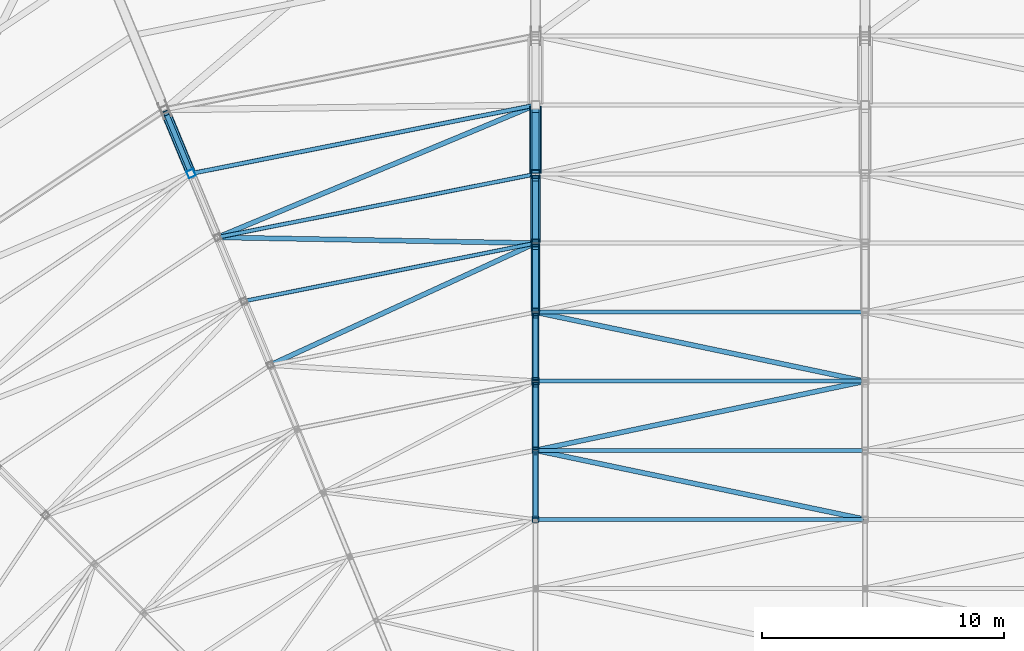
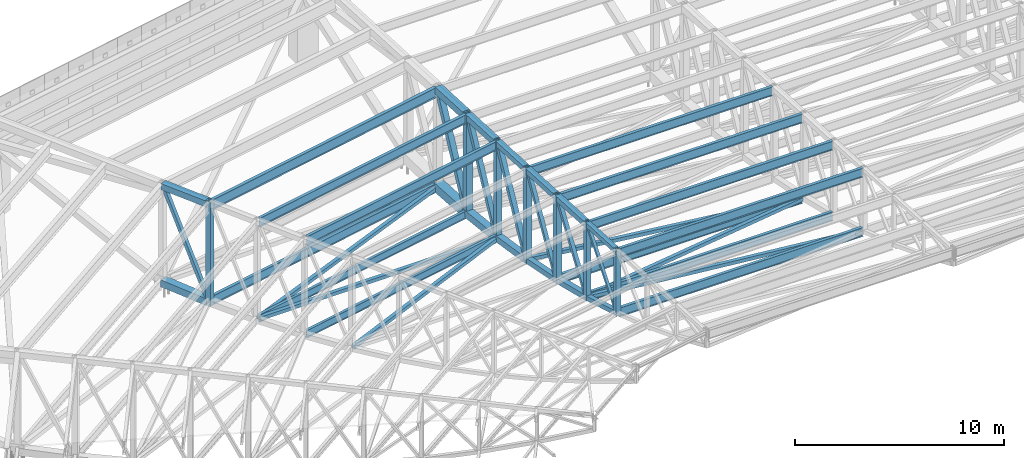
# One storey, part 76 of 278: 26 members, 21 beams.
"""IFC4 building model written with IfcOpenShell, lengths in metres."""

from ifc_helpers import new_model, si_unit, direction, frame, origin, origin_2d, place, context, subcontext, project, spatial, hollow_rectangle, i_section, extrude, material, material_profile, profile_set, type_object, element, save


model = new_model("IFC4")

# Units and contexts
model_context = context("Model", 3, precision=1e-05, world=origin(), true_north=direction((0.0, 1.0)))
body_context = subcontext(model_context, "Body", "Model", "MODEL_VIEW")
ifc_project = project(units=[si_unit("LENGTHUNIT", "METRE"), si_unit("AREAUNIT", "SQUARE_METRE"), si_unit("VOLUMEUNIT", "CUBIC_METRE"), si_unit("PLANEANGLEUNIT", "RADIAN"), si_unit("MASSUNIT", "GRAM", prefix="KILO")], contexts=[model_context])

# Site, building, storey
site_placement = place(None, origin())
site = spatial("IfcSite", under=ifc_project, at=site_placement, CompositionType="ELEMENT")
building_placement = place(site_placement, origin())
building = spatial("IfcBuilding", under=site, at=building_placement, Name="Ogive Plaza Stadium", CompositionType="ELEMENT")
storey_placement = place(building_placement, frame((0.0, 0.0, 29.0)))
storey = spatial("IfcBuildingStorey", under=building, at=storey_placement, Name="Roof", CompositionType="ELEMENT", Elevation=29.0)

# Members
ifc_material_1 = material(Name="Steel ASTM A500 Grade C", Category="steel")
ifc_material_profile_1 = material_profile(ifc_material_1, hollow_rectangle(XDim=0.203125, YDim=0.203125, WallThickness=0.0087890625, at=origin_2d()), Name="HSS8X8X3/8")
ifc_profile_set_1 = profile_set([ifc_material_profile_1], Name="Steel ASTM A500 Grade C")
member_type_1 = type_object("IfcMemberType", Name="Roof plan brace HSS8X8X3/8", PredefinedType="BRACE", material=ifc_profile_set_1)
member_1_placement = place(storey_placement, frame((-44.85302734375, 78.965087890625, 1.176513671875), z_axis=(0.908096456975, 0.417096122157, -0.037304821551), x_axis=(-0.417386651277, 0.908728993339, 0.0)))
element("IfcMember", 1, at=member_1_placement, inside=storey, type_object=member_type_1, Name="ROOF BRACE B31 7", PredefinedType="BRACE", context=body_context, shape_type="SweptSolid", body=[
    extrude(hollow_rectangle(XDim=0.203125, YDim=0.203125, WallThickness=0.0087890625, at=origin_2d()), origin(), (0.0, 0.0, 1.0), 11.76708984375),
])
member_2_placement = place(storey_placement, frame((-34.124267578125, 83.9521484375, 0.727783203125), z_axis=(-0.999580346119, 0.018213899904, -0.022525219276), x_axis=(-0.018218522397, -0.999834028948, 0.0)))
element("IfcMember", 2, at=member_2_placement, inside=storey, type_object=member_type_1, Name="ROOF BRACE B31 8", PredefinedType="BRACE", context=body_context, shape_type="SweptSolid", body=[
    extrude(hollow_rectangle(XDim=0.203125, YDim=0.203125, WallThickness=0.0087890625, at=origin_2d()), origin(), (0.0, 0.0, 1.0), 12.8544921875),
])
member_3_placement = place(storey_placement, frame((-47.036376953125, 84.226318359375, 0.43359375), z_axis=(0.923217338495, 0.384097852451, -0.011772240396), x_axis=(-0.384124470442, 0.92328131748, 0.0)))
element("IfcMember", 3, at=member_3_placement, inside=storey, type_object=member_type_1, Name="ROOF BRACE B31 9", PredefinedType="BRACE", context=body_context, shape_type="SweptSolid", body=[
    extrude(hollow_rectangle(XDim=0.203125, YDim=0.203125, WallThickness=0.0087890625, at=origin_2d()), origin(), (0.0, 0.0, 1.0), 13.91552734375),
])
member_4_placement = place(storey_placement, frame((-20.4931640625, 72.569580078125, 3.269775390625), z_axis=(-0.977081723689, 0.204756162013, -0.058191230868), x_axis=(-0.205103719581, -0.978740243483, 0.0)))
element("IfcMember", 4, at=member_4_placement, inside=storey, type_object=member_type_1, Name="ROOF BRACE B32 4", PredefinedType="BRACE", context=body_context, shape_type="SweptSolid", body=[
    extrude(hollow_rectangle(XDim=0.203125, YDim=0.203125, WallThickness=0.0087890625, at=origin_2d()), origin(), (0.0, 0.0, 1.0), 13.702392578125),
])
member_5_placement = place(storey_placement, frame((-33.881591796875, 75.4248046875, 2.459228515625), z_axis=(0.977474612888, 0.204849020574, -0.05079625901), x_axis=(-0.205113814972, 0.97873812785, 0.0)))
element("IfcMember", 5, at=member_5_placement, inside=storey, type_object=member_type_1, Name="ROOF BRACE B32 5", PredefinedType="BRACE", context=body_context, shape_type="SweptSolid", body=[
    extrude(hollow_rectangle(XDim=0.203125, YDim=0.203125, WallThickness=0.0087890625, at=origin_2d()), origin(), (0.0, 0.0, 1.0), 13.64501953125),
])
member_6_placement = place(storey_placement, frame((-20.5439453125, 78.280029296875, 1.752685546875), z_axis=(-0.977965523229, 0.204948228106, -0.039744926357), x_axis=(-0.205110294312, -0.978738865667, 0.0)))
element("IfcMember", 6, at=member_6_placement, inside=storey, type_object=member_type_1, Name="ROOF BRACE B32 6", PredefinedType="BRACE", context=body_context, shape_type="SweptSolid", body=[
    extrude(hollow_rectangle(XDim=0.203125, YDim=0.203125, WallThickness=0.0087890625, at=origin_2d()), origin(), (0.0, 0.0, 1.0), 13.6123046875),
])
ifc_material_2 = material(Name="Steel ASTM A992 Grade 50", Category="steel")
ifc_material_profile_2 = material_profile(ifc_material_2, i_section(OverallWidth=0.15234375, OverallDepth=0.449462890625, WebThickness=0.007568359375, FlangeThickness=0.0107421875, at=origin_2d()), Name="W18X35")
ifc_profile_set_2 = profile_set([ifc_material_profile_2], Name="Steel ASTM A992 Grade 50")
member_type_2 = type_object("IfcMemberType", Name="Roof plan strut W18X35", PredefinedType="STRUT", material=ifc_profile_set_2)
member_7_placement = place(storey_placement, frame((-45.9228515625, 81.578369140625, 0.730712890625), z_axis=(0.980784109733, 0.195096207281, 0.0), x_axis=(-0.195096207281, 0.980784109733, 0.0)))
element("IfcMember", 7, at=member_7_placement, inside=storey, type_object=member_type_2, Name="ROOF STRUT B31 7", PredefinedType="STRUT", context=body_context, shape_type="SweptSolid", body=[
    extrude(i_section(OverallWidth=0.15234375, OverallDepth=0.449462890625, WebThickness=0.007568359375, FlangeThickness=0.0107421875, at=origin_2d()), origin(), (0.0, 0.0, 1.0), 12.015869140625),
])
member_8_placement = place(storey_placement, frame((-47.013671875, 84.21142578125, 0.434814453125), z_axis=(0.980784397803, 0.195094759096, 0.0), x_axis=(-0.195094759096, 0.980784397803, 0.0)))
element("IfcMember", 8, at=member_8_placement, inside=storey, type_object=member_type_2, Name="ROOF STRUT B31 8", PredefinedType="STRUT", context=body_context, shape_type="SweptSolid", body=[
    extrude(i_section(OverallWidth=0.15234375, OverallDepth=0.449462890625, WebThickness=0.007568359375, FlangeThickness=0.0107421875, at=origin_2d()), origin(), (0.0, 0.0, 1.0), 13.10205078125),
])
ifc_material_3 = material(Name="Steel ASTM A992 Grade 50", Category="steel")
ifc_material_profile_3 = material_profile(ifc_material_3, i_section(OverallWidth=0.1650390625, OverallDepth=0.524658203125, WebThickness=0.0087890625, FlangeThickness=0.011474609375, at=origin_2d()), Name="W21X44")
ifc_profile_set_3 = profile_set([ifc_material_profile_3], Name="Steel ASTM A992 Grade 50")
member_type_3 = type_object("IfcMemberType", Name="Roof plan strut W21X44", PredefinedType="STRUT", material=ifc_profile_set_3)
member_9_placement = place(storey_placement, frame((-48.07763671875, 86.849853515625, 0.267333984375), z_axis=(0.980787315442, 0.195080090906, 0.0), x_axis=(-0.195080090906, 0.980787315442, 0.0)))
element("IfcMember", 9, at=member_9_placement, inside=storey, type_object=member_type_3, Name="ROOF STRUT B31 9", PredefinedType="STRUT", context=body_context, shape_type="SweptSolid", body=[
    extrude(i_section(OverallWidth=0.1650390625, OverallDepth=0.524658203125, WebThickness=0.0087890625, FlangeThickness=0.011474609375, at=origin_2d()), origin(), (0.0, 0.0, 1.0), 14.185546875),
])
member_10_placement = place(storey_placement, frame((-33.928466796875, 72.550048828125, 3.275146484375), z_axis=(1.0, 0.0, 0.0), x_axis=(0.0, 1.0, 0.0)))
element("IfcMember", 10, at=member_10_placement, inside=storey, type_object=member_type_3, Name="ROOF STRUT B32 3", PredefinedType="STRUT", context=body_context, shape_type="SweptSolid", body=[
    extrude(i_section(OverallWidth=0.1650390625, OverallDepth=0.524658203125, WebThickness=0.0087890625, FlangeThickness=0.011474609375, at=origin_2d()), origin(), (0.0, 0.0, 1.0), 13.456787109375),
])
member_11_placement = place(storey_placement, frame((-33.903076171875, 75.39990234375, 2.46533203125), z_axis=(1.0, 0.0, 0.0), x_axis=(0.0, 1.0, 0.0)))
element("IfcMember", 11, at=member_11_placement, inside=storey, type_object=member_type_3, Name="ROOF STRUT B32 4", PredefinedType="STRUT", context=body_context, shape_type="SweptSolid", body=[
    extrude(i_section(OverallWidth=0.1650390625, OverallDepth=0.524658203125, WebThickness=0.0087890625, FlangeThickness=0.011474609375, at=origin_2d()), origin(), (0.0, 0.0, 1.0), 13.406005859375),
])
member_12_placement = place(storey_placement, frame((-33.877685546875, 78.25, 1.758544921875), z_axis=(1.0, 0.0, 0.0), x_axis=(0.0, 1.0, 0.0)))
element("IfcMember", 12, at=member_12_placement, inside=storey, type_object=member_type_3, Name="ROOF STRUT B32 5", PredefinedType="STRUT", context=body_context, shape_type="SweptSolid", body=[
    extrude(i_section(OverallWidth=0.1650390625, OverallDepth=0.524658203125, WebThickness=0.0087890625, FlangeThickness=0.011474609375, at=origin_2d()), origin(), (0.0, 0.0, 1.0), 13.355224609375),
])
ifc_material_4 = material(Name="Steel ASTM A992 Grade 50", Category="steel")
ifc_material_profile_4 = material_profile(ifc_material_4, i_section(OverallWidth=0.1650390625, OverallDepth=0.524658203125, WebThickness=0.0087890625, FlangeThickness=0.011474609375, at=origin_2d()), Name="W21X44")
ifc_profile_set_4 = profile_set([ifc_material_profile_4], Name="Steel ASTM A992 Grade 50")
member_type_4 = type_object("IfcMemberType", Name="Roof purlin W21X44", PredefinedType="PURLIN", material=ifc_profile_set_4)
member_13_placement = place(storey_placement, frame((-45.921630859375, 81.57861328125, 6.1650390625), z_axis=(0.980784151785, 0.195095995879, 0.0), x_axis=(-0.195095995879, 0.980784151785, 0.0)))
element("IfcMember", 13, at=member_13_placement, inside=storey, type_object=member_type_4, Name="ROOF PURLIN B31 7", PredefinedType="PURLIN", context=body_context, shape_type="SweptSolid", body=[
    extrude(i_section(OverallWidth=0.1650390625, OverallDepth=0.524658203125, WebThickness=0.0087890625, FlangeThickness=0.011474609375, at=origin_2d()), origin(), (0.0, 0.0, 1.0), 12.013427734375),
])
member_14_placement = place(storey_placement, frame((-47.012451171875, 84.211669921875, 6.022705078125), z_axis=(0.980784436422, 0.195094564949, 0.0), x_axis=(-0.195094564949, 0.980784436422, 0.0)))
element("IfcMember", 14, at=member_14_placement, inside=storey, type_object=member_type_4, Name="ROOF PURLIN B31 8", PredefinedType="PURLIN", context=body_context, shape_type="SweptSolid", body=[
    extrude(i_section(OverallWidth=0.1650390625, OverallDepth=0.524658203125, WebThickness=0.0087890625, FlangeThickness=0.011474609375, at=origin_2d()), origin(), (0.0, 0.0, 1.0), 13.099609375),
])
member_15_placement = place(storey_placement, frame((-33.928466796875, 72.550048828125, 6.735107421875), z_axis=(1.0, 0.0, 0.0), x_axis=(0.0, 1.0, 0.0)))
element("IfcMember", 15, at=member_15_placement, inside=storey, type_object=member_type_4, Name="ROOF PURLIN B32 3", PredefinedType="PURLIN", context=body_context, shape_type="SweptSolid", body=[
    extrude(i_section(OverallWidth=0.1650390625, OverallDepth=0.524658203125, WebThickness=0.0087890625, FlangeThickness=0.011474609375, at=origin_2d()), origin(), (0.0, 0.0, 1.0), 13.456787109375),
])
member_16_placement = place(storey_placement, frame((-33.903076171875, 75.39990234375, 6.592529296875), z_axis=(1.0, 0.0, 0.0), x_axis=(0.0, 1.0, 0.0)))
element("IfcMember", 16, at=member_16_placement, inside=storey, type_object=member_type_4, Name="ROOF PURLIN B32 4", PredefinedType="PURLIN", context=body_context, shape_type="SweptSolid", body=[
    extrude(i_section(OverallWidth=0.1650390625, OverallDepth=0.524658203125, WebThickness=0.0087890625, FlangeThickness=0.011474609375, at=origin_2d()), origin(), (0.0, 0.0, 1.0), 13.406005859375),
])
for number, where, z_axis, x_axis, name in (
    (17, (-33.877685546875, 78.25, 6.4501953125), (1.0, 0.0, 0.0), (0.0, 1.0, 0.0), "ROOF PURLIN B32 5"),
    (18, (-33.877685546875, 81.10009765625, 6.3076171875), (1.0, 0.0, 0.0), (0.0, 1.0, 0.0), "ROOF PURLIN B32 6"),
):
    element("IfcMember", number, at=place(storey_placement, frame(where, z_axis=z_axis, x_axis=x_axis)), inside=storey, type_object=member_type_4, Name=name, PredefinedType="PURLIN", context=body_context, shape_type="SweptSolid", body=[
        extrude(i_section(OverallWidth=0.1650390625, OverallDepth=0.524658203125, WebThickness=0.0087890625, FlangeThickness=0.011474609375, at=origin_2d()), origin(), (0.0, 0.0, 1.0), 13.355224609375),
    ])
ifc_material_5 = material(Name="Steel ASTM A992 Grade 50", Category="steel")
ifc_material_profile_5 = material_profile(ifc_material_5, i_section(OverallWidth=0.177978515625, OverallDepth=0.5986328125, WebThickness=0.010009765625, FlangeThickness=0.012939453125, at=origin_2d()), Name="W24X55")
ifc_profile_set_5 = profile_set([ifc_material_profile_5], Name="Steel ASTM A992 Grade 50")
member_type_5 = type_object("IfcMemberType", Name="Roof purlin W24X55", PredefinedType="PURLIN", material=ifc_profile_set_5)
member_17_placement = place(storey_placement, frame((-48.076416015625, 86.85009765625, 5.84326171875), z_axis=(0.98078735162, 0.195079909016, 0.0), x_axis=(-0.195079909016, 0.98078735162, 0.0)))
element("IfcMember", 19, at=member_17_placement, inside=storey, type_object=member_type_5, Name="ROOF PURLIN B31 9", PredefinedType="PURLIN", context=body_context, shape_type="SweptSolid", body=[
    extrude(i_section(OverallWidth=0.177978515625, OverallDepth=0.5986328125, WebThickness=0.010009765625, FlangeThickness=0.012939453125, at=origin_2d()), origin(), (0.0, 0.0, 1.0), 14.18310546875),
])

# Beams
ifc_material_6 = material(Name="Steel ASTM A500 Grade C", Category="steel")
ifc_material_profile_6 = material_profile(ifc_material_6, hollow_rectangle(XDim=0.25390625, YDim=0.25390625, WallThickness=0.01171875, at=origin_2d()), Name="HSS10X10X1/2")
ifc_profile_set_6 = profile_set([ifc_material_profile_6], Name="Steel ASTM A500 Grade C")
beam_type_1 = type_object("IfcBeamType", Name="Roof truss bottom chord HSS10X10X1/2", PredefinedType="BEAM", material=ifc_profile_set_6)
beam_1_placement = place(storey_placement, frame((-34.0, 72.60009765625, 3.265869140625), z_axis=(0.0, 0.959640437259, -0.281229854705), x_axis=(-1.0, 0.0, 0.0)))
element("IfcBeam", 20, at=beam_1_placement, inside=storey, type_object=beam_type_1, Name="ROOF TRUSS T32 BOTTOM CHORD 4", PredefinedType="BEAM", context=body_context, shape_type="SweptSolid", body=[
    extrude(hollow_rectangle(XDim=0.25390625, YDim=0.25390625, WallThickness=0.01171875, at=origin_2d()), origin(), (0.0, 0.0, 1.0), 2.86572265625),
])
ifc_material_7 = material(Name="Steel ASTM A500 Grade C", Category="steel")
ifc_material_profile_7 = material_profile(ifc_material_7, hollow_rectangle(XDim=0.3046875, YDim=0.3046875, WallThickness=0.0146484375, at=origin_2d()), Name="HSS12X12X5/8")
ifc_profile_set_7 = profile_set([ifc_material_profile_7], Name="Steel ASTM A500 Grade C")
beam_type_2 = type_object("IfcBeamType", Name="Roof truss bottom chord HSS12X12X5/8", PredefinedType="BEAM", material=ifc_profile_set_7)
beam_2_placement = place(storey_placement, frame((-34.0, 75.449951171875, 2.45751953125), z_axis=(0.0, 0.970607032995, -0.240669872439), x_axis=(-1.0, 0.0, 0.0)))
element("IfcBeam", 21, at=beam_2_placement, inside=storey, type_object=beam_type_2, Name="ROOF TRUSS T32 BOTTOM CHORD 5", PredefinedType="BEAM", context=body_context, shape_type="SweptSolid", body=[
    extrude(hollow_rectangle(XDim=0.3046875, YDim=0.3046875, WallThickness=0.0146484375, at=origin_2d()), origin(), (0.0, 0.0, 1.0), 2.833251953125),
])
beam_3_placement = place(storey_placement, frame((-34.0, 78.300048828125, 1.751708984375), z_axis=(0.0, 0.980021250437, -0.19889280704), x_axis=(-1.0, 0.0, 0.0)))
element("IfcBeam", 22, at=beam_3_placement, inside=storey, type_object=beam_type_2, Name="ROOF TRUSS T32 BOTTOM CHORD 6", PredefinedType="BEAM", context=body_context, shape_type="SweptSolid", body=[
    extrude(hollow_rectangle(XDim=0.3046875, YDim=0.3046875, WallThickness=0.0146484375, at=origin_2d()), origin(), (0.0, 0.0, 1.0), 2.80615234375),
])
ifc_material_8 = material(Name="Steel ASTM A500 Grade C", Category="steel")
ifc_material_profile_8 = material_profile(ifc_material_8, hollow_rectangle(XDim=0.355712890625, YDim=0.355712890625, WallThickness=0.0146484375, at=origin_2d()), Name="HSS14X14X5/8")
ifc_profile_set_8 = profile_set([ifc_material_profile_8], Name="Steel ASTM A500 Grade C")
beam_type_3 = type_object("IfcBeamType", Name="Roof truss bottom chord HSS14X14X5/8", PredefinedType="BEAM", material=ifc_profile_set_8)
beam_4_placement = place(storey_placement, frame((-34.0, 81.14990234375, 1.2001953125), z_axis=(0.0, 0.987770074518, -0.155917541947), x_axis=(-1.0, 0.0, 0.0)))
element("IfcBeam", 23, at=beam_4_placement, inside=storey, type_object=beam_type_3, Name="ROOF TRUSS T32 BOTTOM CHORD 7", PredefinedType="BEAM", context=body_context, shape_type="SweptSolid", body=[
    extrude(hollow_rectangle(XDim=0.355712890625, YDim=0.355712890625, WallThickness=0.0146484375, at=origin_2d()), origin(), (0.0, 0.0, 1.0), 2.783935546875),
])
ifc_material_9 = material(Name="Steel ASTM A500 Grade C", Category="steel")
ifc_material_profile_9 = material_profile(ifc_material_9, hollow_rectangle(XDim=0.406494140625, YDim=0.406494140625, WallThickness=0.0146484375, at=origin_2d()), Name="HSS16X16X5/8")
ifc_profile_set_9 = profile_set([ifc_material_profile_9], Name="Steel ASTM A500 Grade C")
beam_type_4 = type_object("IfcBeamType", Name="Roof truss bottom chord HSS16X16X5/8", PredefinedType="BEAM", material=ifc_profile_set_9)
beam_5_placement = place(storey_placement, frame((-48.23583984375, 86.868408203125, 0.266357421875), z_axis=(-0.382562952761, 0.923654312396, -0.022545473318), x_axis=(-0.923889147914, -0.382660217904, 0.0)))
element("IfcBeam", 24, at=beam_5_placement, inside=storey, type_object=beam_type_4, Name="ROOF TRUSS T31 BOTTOM CHORD 10", PredefinedType="BEAM", context=body_context, shape_type="SweptSolid", body=[
    extrude(hollow_rectangle(XDim=0.406494140625, YDim=0.406494140625, WallThickness=0.0146484375, at=origin_2d()), origin(), (0.0, 0.0, 1.0), 2.75048828125),
])
beam_6_placement = place(storey_placement, frame((-34.0, 84.0, 0.777099609375), z_axis=(0.0, 0.993703844406, -0.112038696946), x_axis=(-1.0, 0.0, 0.0)))
element("IfcBeam", 25, at=beam_6_placement, inside=storey, type_object=beam_type_4, Name="ROOF TRUSS T32 BOTTOM CHORD 8", PredefinedType="BEAM", context=body_context, shape_type="SweptSolid", body=[
    extrude(hollow_rectangle(XDim=0.406494140625, YDim=0.406494140625, WallThickness=0.0146484375, at=origin_2d()), origin(), (0.0, 0.0, 1.0), 2.767333984375),
])
ifc_material_10 = material(Name="Steel ASTM A500 Grade C", Category="steel")
ifc_material_profile_10 = material_profile(ifc_material_10, hollow_rectangle(XDim=0.508056640625, YDim=0.508056640625, WallThickness=0.0146484375, at=origin_2d()), Name="HSS20X20X5/8")
ifc_profile_set_10 = profile_set([ifc_material_profile_10], Name="Steel ASTM A500 Grade C")
beam_type_5 = type_object("IfcBeamType", Name="Roof truss bottom chord HSS20X20X5/8", PredefinedType="BEAM", material=ifc_profile_set_10)
beam_7_placement = place(storey_placement, frame((-34.0, 86.85009765625, 0.50830078125), z_axis=(0.0, 0.997719620387, -0.06749488199), x_axis=(-1.0, 0.0, 0.0)))
element("IfcBeam", 26, at=beam_7_placement, inside=storey, type_object=beam_type_5, Name="ROOF TRUSS T32 BOTTOM CHORD 9", PredefinedType="BEAM", context=body_context, shape_type="SweptSolid", body=[
    extrude(hollow_rectangle(XDim=0.508056640625, YDim=0.508056640625, WallThickness=0.0146484375, at=origin_2d()), origin(), (0.0, 0.0, 1.0), 2.75634765625),
])

# Members
ifc_material_11 = material(Name="Steel ASTM A500 Grade C", Category="steel")
ifc_material_profile_11 = material_profile(ifc_material_11, hollow_rectangle(XDim=0.25390625, YDim=0.25390625, WallThickness=0.0087890625, at=origin_2d()), Name="HSS10X10X3/8")
ifc_profile_set_11 = profile_set([ifc_material_profile_11], Name="Steel ASTM A500 Grade C")
member_type_6 = type_object("IfcMemberType", Name="Roof truss diagonal HSS10X10X3/8", PredefinedType="BRACE", material=ifc_profile_set_11)
member_18_placement = place(storey_placement, frame((-34.0, 81.25244140625, 1.383544921875), z_axis=(0.0, 0.473127942579, 0.880993728667), x_axis=(-1.0, 0.0, 0.0)))
element("IfcMember", 27, at=member_18_placement, inside=storey, type_object=member_type_6, Name="ROOF TRUSS T32 DIAGONAL 7", PredefinedType="BRACE", context=body_context, shape_type="SweptSolid", body=[
    extrude(hollow_rectangle(XDim=0.25390625, YDim=0.25390625, WallThickness=0.0087890625, at=origin_2d()), origin(), (0.0, 0.0, 1.0), 5.37939453125),
])
member_19_placement = place(storey_placement, frame((-34.0, 84.102294921875, 0.984619140625), z_axis=(0.0, 0.454062843231, 0.890969659639), x_axis=(-1.0, 0.0, 0.0)))
element("IfcMember", 28, at=member_19_placement, inside=storey, type_object=member_type_6, Name="ROOF TRUSS T32 DIAGONAL 8", PredefinedType="BRACE", context=body_context, shape_type="SweptSolid", body=[
    extrude(hollow_rectangle(XDim=0.25390625, YDim=0.25390625, WallThickness=0.0087890625, at=origin_2d()), origin(), (0.0, 0.0, 1.0), 5.550048828125),
])
ifc_material_12 = material(Name="Steel ASTM A500 Grade C", Category="steel")
ifc_material_profile_12 = material_profile(ifc_material_12, hollow_rectangle(XDim=0.3046875, YDim=0.3046875, WallThickness=0.0087890625, at=origin_2d()), Name="HSS12X12X3/8")
ifc_profile_set_12 = profile_set([ifc_material_profile_12], Name="Steel ASTM A500 Grade C")
member_type_7 = type_object("IfcMemberType", Name="Roof truss diagonal HSS12X12X3/8", PredefinedType="BRACE", material=ifc_profile_set_12)
member_20_placement = place(storey_placement, frame((-34.0, 86.977783203125, 0.764892578125), z_axis=(0.0, 0.448477330766, 0.893794206621), x_axis=(-1.0, 0.0, 0.0)))
element("IfcMember", 29, at=member_20_placement, inside=storey, type_object=member_type_7, Name="ROOF TRUSS T32 DIAGONAL 9", PredefinedType="BRACE", context=body_context, shape_type="SweptSolid", body=[
    extrude(hollow_rectangle(XDim=0.3046875, YDim=0.3046875, WallThickness=0.0087890625, at=origin_2d()), origin(), (0.0, 0.0, 1.0), 5.56201171875),
])
ifc_material_13 = material(Name="Steel ASTM A500 Grade C", Category="steel")
ifc_material_profile_13 = material_profile(ifc_material_13, hollow_rectangle(XDim=0.15234375, YDim=0.15234375, WallThickness=0.0087890625, at=origin_2d()), Name="HSS6X6X3/8")
ifc_profile_set_13 = profile_set([ifc_material_profile_13], Name="Steel ASTM A500 Grade C")
member_type_8 = type_object("IfcMemberType", Name="Roof truss diagonal HSS6X6X3/8", PredefinedType="BRACE", material=ifc_profile_set_13)
member_21_placement = place(storey_placement, frame((-34.0, 72.677001953125, 3.40234375), z_axis=(0.0, 0.630150764463, 0.77647280316), x_axis=(-1.0, 0.0, 0.0)))
element("IfcMember", 30, at=member_21_placement, inside=storey, type_object=member_type_8, Name="ROOF TRUSS T32 DIAGONAL 4", PredefinedType="BRACE", context=body_context, shape_type="SweptSolid", body=[
    extrude(hollow_rectangle(XDim=0.15234375, YDim=0.15234375, WallThickness=0.0087890625, at=origin_2d()), origin(), (0.0, 0.0, 1.0), 4.11962890625),
])
ifc_material_14 = material(Name="Steel ASTM A500 Grade C", Category="steel")
ifc_material_profile_14 = material_profile(ifc_material_14, hollow_rectangle(XDim=0.203125, YDim=0.203125, WallThickness=0.0087890625, at=origin_2d()), Name="HSS8X8X3/8")
ifc_profile_set_14 = profile_set([ifc_material_profile_14], Name="Steel ASTM A500 Grade C")
member_type_9 = type_object("IfcMemberType", Name="Roof truss diagonal HSS8X8X3/8", PredefinedType="BRACE", material=ifc_profile_set_14)
member_22_placement = place(storey_placement, frame((-48.27490234375, 86.962890625, 0.470703125), z_axis=(-0.168947413355, 0.407844983819, 0.897284370027), x_axis=(-0.923869529365, -0.382707581205, 0.0)))
element("IfcMember", 31, at=member_22_placement, inside=storey, type_object=member_type_9, Name="ROOF TRUSS T31 DIAGONAL 10", PredefinedType="BRACE", context=body_context, shape_type="SweptSolid", body=[
    extrude(hollow_rectangle(XDim=0.203125, YDim=0.203125, WallThickness=0.0087890625, at=origin_2d()), origin(), (0.0, 0.0, 1.0), 5.765869140625),
])
member_23_placement = place(storey_placement, frame((-34.0, 75.527099609375, 2.617919921875), z_axis=(0.0, 0.561338440243, 0.827586343233), x_axis=(-1.0, 0.0, 0.0)))
element("IfcMember", 32, at=member_23_placement, inside=storey, type_object=member_type_9, Name="ROOF TRUSS T32 DIAGONAL 5", PredefinedType="BRACE", context=body_context, shape_type="SweptSolid", body=[
    extrude(hollow_rectangle(XDim=0.203125, YDim=0.203125, WallThickness=0.0087890625, at=origin_2d()), origin(), (0.0, 0.0, 1.0), 4.579345703125),
])
member_24_placement = place(storey_placement, frame((-34.0, 78.40234375, 1.9111328125), z_axis=(0.0, 0.504659398762, 0.863318534054), x_axis=(-1.0, 0.0, 0.0)))
element("IfcMember", 33, at=member_24_placement, inside=storey, type_object=member_type_9, Name="ROOF TRUSS T32 DIAGONAL 6", PredefinedType="BRACE", context=body_context, shape_type="SweptSolid", body=[
    extrude(hollow_rectangle(XDim=0.203125, YDim=0.203125, WallThickness=0.0087890625, at=origin_2d()), origin(), (0.0, 0.0, 1.0), 5.043212890625),
])

# Beams
ifc_material_15 = material(Name="Steel ASTM A500 Grade C", Category="steel")
ifc_material_profile_15 = material_profile(ifc_material_15, hollow_rectangle(XDim=0.25390625, YDim=0.25390625, WallThickness=0.01171875, at=origin_2d()), Name="HSS10X10X1/2")
ifc_profile_set_15 = profile_set([ifc_material_profile_15], Name="Steel ASTM A500 Grade C")
beam_type_6 = type_object("IfcBeamType", Name="Roof truss post HSS10X10X1/2", PredefinedType="BEAM", material=ifc_profile_set_15)
beam_8_placement = place(storey_placement, frame((-34.0, 72.550048828125, 3.148193359375), z_axis=(0.0, 0.0, 1.0), x_axis=(-1.0, 0.0, 0.0)))
element("IfcBeam", 34, at=beam_8_placement, inside=storey, type_object=beam_type_6, Name="ROOF TRUSS T32 POST 4", PredefinedType="BEAM", context=body_context, shape_type="SweptSolid", body=[
    extrude(hollow_rectangle(XDim=0.25390625, YDim=0.25390625, WallThickness=0.01171875, at=origin_2d()), origin(), (0.0, 0.0, 1.0), 3.849365234375),
])
beam_9_placement = place(storey_placement, frame((-34.0, 75.39990234375, 2.31298828125), z_axis=(0.0, 0.0, 1.0), x_axis=(-1.0, 0.0, 0.0)))
element("IfcBeam", 35, at=beam_9_placement, inside=storey, type_object=beam_type_6, Name="ROOF TRUSS T32 POST 5", PredefinedType="BEAM", context=body_context, shape_type="SweptSolid", body=[
    extrude(hollow_rectangle(XDim=0.25390625, YDim=0.25390625, WallThickness=0.01171875, at=origin_2d()), origin(), (0.0, 0.0, 1.0), 4.5419921875),
])
ifc_material_16 = material(Name="Steel ASTM A500 Grade C", Category="steel")
ifc_material_profile_16 = material_profile(ifc_material_16, hollow_rectangle(XDim=0.3046875, YDim=0.3046875, WallThickness=0.01171875, at=origin_2d()), Name="HSS12X12X1/2")
ifc_profile_set_16 = profile_set([ifc_material_profile_16], Name="Steel ASTM A500 Grade C")
beam_type_7 = type_object("IfcBeamType", Name="Roof truss post HSS12X12X1/2", PredefinedType="BEAM", material=ifc_profile_set_16)
beam_10_placement = place(storey_placement, frame((-48.216796875, 86.822021484375, 0.064208984375), z_axis=(0.0, 0.0, 1.0), x_axis=(-0.923879532511, -0.382683432365, 0.0)))
element("IfcBeam", 36, at=beam_10_placement, inside=storey, type_object=beam_type_7, Name="ROOF TRUSS T31 POST 10", PredefinedType="BEAM", context=body_context, shape_type="SweptSolid", body=[
    extrude(hollow_rectangle(XDim=0.3046875, YDim=0.3046875, WallThickness=0.01171875, at=origin_2d()), origin(), (0.0, 0.0, 1.0), 6.078369140625),
])
beam_11_placement = place(storey_placement, frame((-34.0, 78.25, 1.606201171875), z_axis=(0.0, 0.0, 1.0), x_axis=(-1.0, 0.0, 0.0)))
element("IfcBeam", 37, at=beam_11_placement, inside=storey, type_object=beam_type_7, Name="ROOF TRUSS T32 POST 6", PredefinedType="BEAM", context=body_context, shape_type="SweptSolid", body=[
    extrude(hollow_rectangle(XDim=0.3046875, YDim=0.3046875, WallThickness=0.01171875, at=origin_2d()), origin(), (0.0, 0.0, 1.0), 5.106201171875),
])
ifc_material_17 = material(Name="Steel ASTM A500 Grade C", Category="steel")
ifc_material_profile_17 = material_profile(ifc_material_17, hollow_rectangle(XDim=0.3046875, YDim=0.3046875, WallThickness=0.0146484375, at=origin_2d()), Name="HSS12X12X5/8")
ifc_profile_set_17 = profile_set([ifc_material_profile_17], Name="Steel ASTM A500 Grade C")
beam_type_8 = type_object("IfcBeamType", Name="Roof truss post HSS12X12X5/8", PredefinedType="BEAM", material=ifc_profile_set_17)
beam_12_placement = place(storey_placement, frame((-34.0, 81.10009765625, 1.028076171875), z_axis=(0.0, 0.0, 1.0), x_axis=(-1.0, 0.0, 0.0)))
element("IfcBeam", 38, at=beam_12_placement, inside=storey, type_object=beam_type_8, Name="ROOF TRUSS T32 POST 7", PredefinedType="BEAM", context=body_context, shape_type="SweptSolid", body=[
    extrude(hollow_rectangle(XDim=0.3046875, YDim=0.3046875, WallThickness=0.0146484375, at=origin_2d()), origin(), (0.0, 0.0, 1.0), 5.5419921875),
])
beam_13_placement = place(storey_placement, frame((-34.0, 83.949951171875, 0.578369140625), z_axis=(0.0, 0.0, 1.0), x_axis=(-1.0, 0.0, 0.0)))
element("IfcBeam", 39, at=beam_13_placement, inside=storey, type_object=beam_type_8, Name="ROOF TRUSS T32 POST 8", PredefinedType="BEAM", context=body_context, shape_type="SweptSolid", body=[
    extrude(hollow_rectangle(XDim=0.3046875, YDim=0.3046875, WallThickness=0.0146484375, at=origin_2d()), origin(), (0.0, 0.0, 1.0), 5.84912109375),
])
ifc_material_18 = material(Name="Steel ASTM A500 Grade C", Category="steel")
ifc_material_profile_18 = material_profile(ifc_material_18, hollow_rectangle(XDim=0.355712890625, YDim=0.355712890625, WallThickness=0.0146484375, at=origin_2d()), Name="HSS14X14X5/8")
ifc_profile_set_18 = profile_set([ifc_material_profile_18], Name="Steel ASTM A500 Grade C")
beam_type_9 = type_object("IfcBeamType", Name="Roof truss post HSS14X14X5/8", PredefinedType="BEAM", material=ifc_profile_set_18)
beam_14_placement = place(storey_placement, frame((-34.0, 86.800048828125, 0.257080078125), z_axis=(0.0, 0.0, 1.0), x_axis=(-1.0, 0.0, 0.0)))
element("IfcBeam", 40, at=beam_14_placement, inside=storey, type_object=beam_type_9, Name="ROOF TRUSS T32 POST 9", PredefinedType="BEAM", context=body_context, shape_type="SweptSolid", body=[
    extrude(hollow_rectangle(XDim=0.355712890625, YDim=0.355712890625, WallThickness=0.0146484375, at=origin_2d()), origin(), (0.0, 0.0, 1.0), 6.02783203125),
])
ifc_material_19 = material(Name="Steel ASTM A500 Grade C", Category="steel")
ifc_material_profile_19 = material_profile(ifc_material_19, hollow_rectangle(XDim=0.25390625, YDim=0.25390625, WallThickness=0.0087890625, at=origin_2d()), Name="HSS10X10X3/8")
ifc_profile_set_19 = profile_set([ifc_material_profile_19], Name="Steel ASTM A500 Grade C")
beam_type_10 = type_object("IfcBeamType", Name="Roof truss top chord HSS10X10X3/8", PredefinedType="BEAM", material=ifc_profile_set_19)
beam_15_placement = place(storey_placement, frame((-34.0, 72.60009765625, 6.867919921875), z_axis=(0.0, 0.998748798523, -0.05000837379), x_axis=(-1.0, 0.0, 0.0)))
element("IfcBeam", 41, at=beam_15_placement, inside=storey, type_object=beam_type_10, Name="ROOF TRUSS T32 TOP CHORD 4", PredefinedType="BEAM", context=body_context, shape_type="SweptSolid", body=[
    extrude(hollow_rectangle(XDim=0.25390625, YDim=0.25390625, WallThickness=0.0087890625, at=origin_2d()), origin(), (0.0, 0.0, 1.0), 2.75341796875),
])
ifc_material_20 = material(Name="Steel ASTM A500 Grade C", Category="steel")
ifc_material_profile_20 = material_profile(ifc_material_20, hollow_rectangle(XDim=0.3046875, YDim=0.3046875, WallThickness=0.01171875, at=origin_2d()), Name="HSS12X12X1/2")
ifc_profile_set_20 = profile_set([ifc_material_profile_20], Name="Steel ASTM A500 Grade C")
beam_type_11 = type_object("IfcBeamType", Name="Roof truss top chord HSS12X12X1/2", PredefinedType="BEAM", material=ifc_profile_set_20)
beam_16_placement = place(storey_placement, frame((-34.0, 81.14990234375, 6.414794921875), z_axis=(0.0, 0.998753223187, -0.049919927615), x_axis=(-1.0, 0.0, 0.0)))
element("IfcBeam", 42, at=beam_16_placement, inside=storey, type_object=beam_type_11, Name="ROOF TRUSS T32 TOP CHORD 7", PredefinedType="BEAM", context=body_context, shape_type="SweptSolid", body=[
    extrude(hollow_rectangle(XDim=0.3046875, YDim=0.3046875, WallThickness=0.01171875, at=origin_2d()), origin(), (0.0, 0.0, 1.0), 2.75341796875),
])
ifc_material_21 = material(Name="Steel ASTM A500 Grade C", Category="steel")
ifc_material_profile_21 = material_profile(ifc_material_21, hollow_rectangle(XDim=0.3046875, YDim=0.3046875, WallThickness=0.0087890625, at=origin_2d()), Name="HSS12X12X3/8")
ifc_profile_set_21 = profile_set([ifc_material_profile_21], Name="Steel ASTM A500 Grade C")
beam_type_12 = type_object("IfcBeamType", Name="Roof truss top chord HSS12X12X3/8", PredefinedType="BEAM", material=ifc_profile_set_21)
for number, where, z_axis, x_axis, name in (
    (43, (-34.0, 75.449951171875, 6.699951171875), (0.0, 0.998753223187, -0.049919927615), (-1.0, 0.0, 0.0), "ROOF TRUSS T32 TOP CHORD 5"),
    (44, (-34.0, 78.300048828125, 6.557373046875), (0.0, 0.998753223187, -0.049919927615), (-1.0, 0.0, 0.0), "ROOF TRUSS T32 TOP CHORD 6"),
):
    element("IfcBeam", number, at=place(storey_placement, frame(where, z_axis=z_axis, x_axis=x_axis)), inside=storey, type_object=beam_type_12, Name=name, PredefinedType="BEAM", context=body_context, shape_type="SweptSolid", body=[
        extrude(hollow_rectangle(XDim=0.3046875, YDim=0.3046875, WallThickness=0.0087890625, at=origin_2d()), origin(), (0.0, 0.0, 1.0), 2.75341796875),
    ])
ifc_material_22 = material(Name="Steel ASTM A500 Grade C", Category="steel")
ifc_material_profile_22 = material_profile(ifc_material_22, hollow_rectangle(XDim=0.355712890625, YDim=0.355712890625, WallThickness=0.01171875, at=origin_2d()), Name="HSS14X14X1/2")
ifc_profile_set_22 = profile_set([ifc_material_profile_22], Name="Steel ASTM A500 Grade C")
beam_type_13 = type_object("IfcBeamType", Name="Roof truss top chord HSS14X14X1/2", PredefinedType="BEAM", material=ifc_profile_set_22)
beam_17_placement = place(storey_placement, frame((-48.23583984375, 86.868408203125, 5.9619140625), z_axis=(-0.382183063105, 0.922737112453, -0.049923216828), x_axis=(-0.923889147914, -0.382660217904, 0.0)))
element("IfcBeam", 45, at=beam_17_placement, inside=storey, type_object=beam_type_13, Name="ROOF TRUSS T31 TOP CHORD 10", PredefinedType="BEAM", context=body_context, shape_type="SweptSolid", body=[
    extrude(hollow_rectangle(XDim=0.355712890625, YDim=0.355712890625, WallThickness=0.01171875, at=origin_2d()), origin(), (0.0, 0.0, 1.0), 2.753173828125),
])
beam_18_placement = place(storey_placement, frame((-34.0, 84.0, 6.2470703125), z_axis=(0.0, 0.998748798523, -0.05000837379), x_axis=(-1.0, 0.0, 0.0)))
element("IfcBeam", 46, at=beam_18_placement, inside=storey, type_object=beam_type_13, Name="ROOF TRUSS T32 TOP CHORD 8", PredefinedType="BEAM", context=body_context, shape_type="SweptSolid", body=[
    extrude(hollow_rectangle(XDim=0.355712890625, YDim=0.355712890625, WallThickness=0.01171875, at=origin_2d()), origin(), (0.0, 0.0, 1.0), 2.75341796875),
])
ifc_material_23 = material(Name="Steel ASTM A500 Grade C", Category="steel")
ifc_material_profile_23 = material_profile(ifc_material_23, hollow_rectangle(XDim=0.406494140625, YDim=0.406494140625, WallThickness=0.01171875, at=origin_2d()), Name="HSS16X16X1/2")
ifc_profile_set_23 = profile_set([ifc_material_profile_23], Name="Steel ASTM A500 Grade C")
beam_type_14 = type_object("IfcBeamType", Name="Roof truss top chord HSS16X16X1/2", PredefinedType="BEAM", material=ifc_profile_set_23)
beam_19_placement = place(storey_placement, frame((-34.0, 86.85009765625, 6.0791015625), z_axis=(0.0, 0.998753223187, -0.049919927615), x_axis=(-1.0, 0.0, 0.0)))
element("IfcBeam", 47, at=beam_19_placement, inside=storey, type_object=beam_type_14, Name="ROOF TRUSS T32 TOP CHORD 9", PredefinedType="BEAM", context=body_context, shape_type="SweptSolid", body=[
    extrude(hollow_rectangle(XDim=0.406494140625, YDim=0.406494140625, WallThickness=0.01171875, at=origin_2d()), origin(), (0.0, 0.0, 1.0), 2.75341796875),
])

save(model, "model.ifc")
